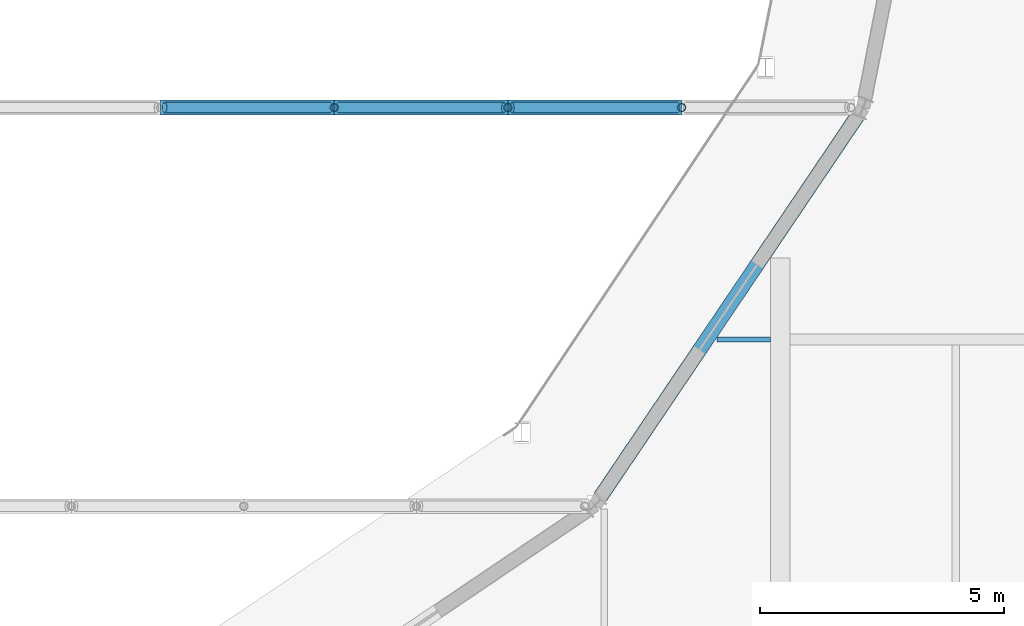
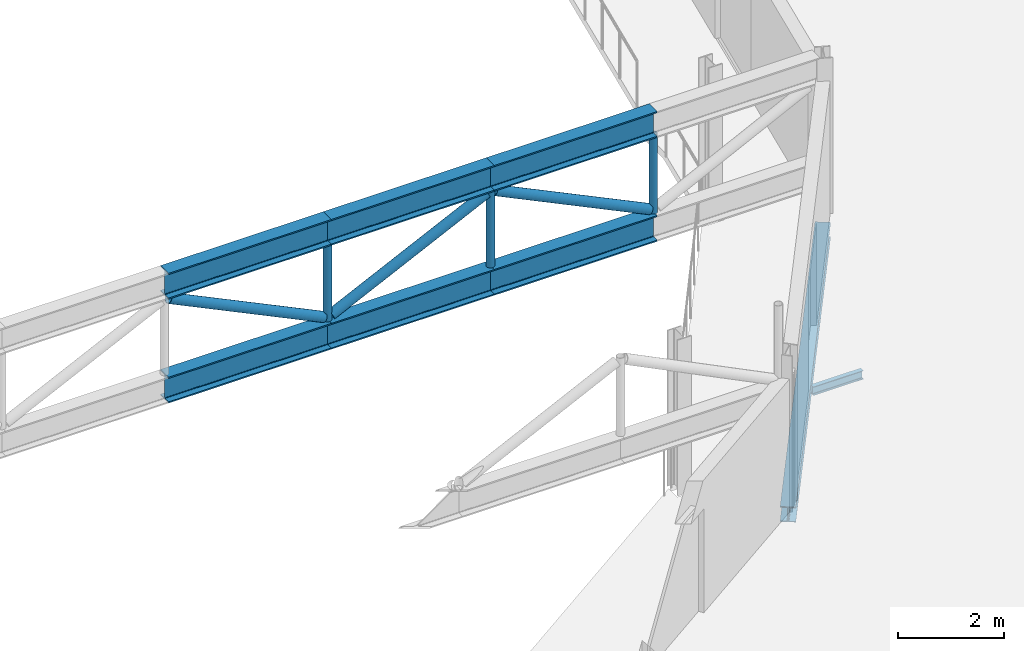
# One storey, part 42 of 143: 12 members, 2 beams.
"""IFC4 building model written with IfcOpenShell, lengths in metres."""

from ifc_helpers import new_model, si_unit, direction, frame, origin, origin_2d, place, context, subcontext, project, spatial, hollow_circle, i_section, extrude, material, material_profile, profile_set, type_object, element, save


model = new_model("IFC4")

# Units and contexts
model_context = context("Model", 3, precision=1e-05, world=origin(), true_north=direction((0.0, 1.0)))
body_context = subcontext(model_context, "Body", "Model", "MODEL_VIEW")
ifc_project = project(units=[si_unit("LENGTHUNIT", "METRE"), si_unit("AREAUNIT", "SQUARE_METRE"), si_unit("VOLUMEUNIT", "CUBIC_METRE"), si_unit("PLANEANGLEUNIT", "RADIAN"), si_unit("MASSUNIT", "GRAM", prefix="KILO")], contexts=[model_context])

# Site, building, storey
site_placement = place(None, origin())
site = spatial("IfcSite", under=ifc_project, at=site_placement, CompositionType="ELEMENT")
building_placement = place(site_placement, origin())
building = spatial("IfcBuilding", under=site, at=building_placement, Name="Kupolbacken Congress Centre", CompositionType="ELEMENT")
storey_placement = place(building_placement, frame((0.0, 0.0, 7.199951171875)))
storey = spatial("IfcBuildingStorey", under=building, at=storey_placement, Name="L02", CompositionType="ELEMENT", Elevation=7.199951171875)

# Beams
ifc_material_1 = material(Name="Steel S355", Category="steel")
ifc_material_profile_1 = material_profile(ifc_material_1, i_section(OverallWidth=0.10009765625, OverallDepth=0.199951171875, WebThickness=0.005615234375, FlangeThickness=0.008544921875, FilletRadius=0.011962890625, at=origin_2d()), Name="IPE 200")
ifc_profile_set_1 = profile_set([ifc_material_profile_1], Name="Steel S355")
beam_type_1 = type_object("IfcBeamType", Name="B01 beam IPE 200", PredefinedType="BEAM", material=ifc_profile_set_1)
beam_1_placement = place(storey_placement, frame((63.50927734375, 72.0, -0.280029296875), z_axis=(1.0, 0.0, 0.0), x_axis=(0.0, 1.0, 0.0)))
element("IfcBeam", 1, at=beam_1_placement, inside=storey, type_object=beam_type_1, Name="S/floor/P/L02/R049", PredefinedType="BEAM", context=body_context, shape_type="SweptSolid", body=[
    extrude(i_section(OverallWidth=0.10009765625, OverallDepth=0.199951171875, WebThickness=0.005615234375, FlangeThickness=0.008544921875, FilletRadius=0.011962890625, at=origin_2d()), origin(), (0.0, 0.0, 1.0), 1.0908203125),
])
ifc_material_2 = material(Name="Steel S355", Category="steel")
ifc_material_profile_2 = material_profile(ifc_material_2, i_section(OverallWidth=0.300048828125, OverallDepth=0.35009765625, WebThickness=0.010009765625, FlangeThickness=0.017578125, FilletRadius=0.027099609375, at=origin_2d()), Name="HEA 360")
ifc_profile_set_2 = profile_set([ifc_material_profile_2], Name="Steel S355")
beam_type_2 = type_object("IfcBeamType", Name="B13 beam HEA 360", PredefinedType="BEAM", material=ifc_profile_set_2)
beam_2_placement = place(storey_placement, frame((61.114013671875, 68.768798828125, -0.35498046875), z_axis=(0.559372299764, 0.828916539983, 0.0), x_axis=(-0.828916539983, 0.559372299764, 0.0)))
element("IfcBeam", 2, at=beam_2_placement, inside=storey, type_object=beam_type_2, Name="S/floor/P/L02/C015", PredefinedType="BEAM", context=body_context, shape_type="SweptSolid", body=[
    extrude(i_section(OverallWidth=0.300048828125, OverallDepth=0.35009765625, WebThickness=0.010009765625, FlangeThickness=0.017578125, FilletRadius=0.027099609375, at=origin_2d()), origin(), (0.0, 0.0, 1.0), 9.42431640625),
])

# Members
ifc_material_3 = material(Name="Steel S355", Category="steel")
ifc_material_profile_3 = material_profile(ifc_material_3, i_section(OverallWidth=0.300048828125, OverallDepth=0.60009765625, WebThickness=0.015380859375, FlangeThickness=0.030029296875, FilletRadius=0.027099609375, at=origin_2d()), Name="HEB 600")
ifc_profile_set_3 = profile_set([ifc_material_profile_3], Name="Steel S355")
member_type_1 = type_object("IfcMemberType", Name="M02 transfer truss chord HEB 600", PredefinedType="CHORD", material=ifc_profile_set_3)
for number, where, z_axis, x_axis, name in (
    (3, (52.1005859375, 76.75634765625, 0.916259765625), (1.0, 0.0, 0.0), (0.0, 1.0, 0.0), "PD/L02/balc/trussF/BC10"),
    (4, (52.1005859375, 76.75634765625, 3.31640625), (1.0, 0.0, 0.0), (0.0, 1.0, 0.0), "PD/L02/balc/trussF/TC10"),
    (5, (55.660888671875, 76.75634765625, 0.916259765625), (1.0, 0.0, 0.0), (0.0, 1.0, 0.0), "PD/L02/balc/trussF/BC11"),
    (6, (55.660888671875, 76.75634765625, 3.31640625), (1.0, 0.0, 0.0), (0.0, 1.0, 0.0), "PD/L02/balc/trussF/TC11"),
    (7, (59.22119140625, 76.75634765625, 0.916259765625), (1.0, 0.0, 0.0), (0.0, 1.0, 0.0), "PD/L02/balc/trussF/BC12"),
    (8, (59.22119140625, 76.75634765625, 3.31640625), (1.0, 0.0, 0.0), (0.0, 1.0, 0.0), "PD/L02/balc/trussF/TC12"),
):
    element("IfcMember", number, at=place(storey_placement, frame(where, z_axis=z_axis, x_axis=x_axis)), inside=storey, type_object=member_type_1, Name=name, PredefinedType="CHORD", context=body_context, shape_type="SweptSolid", body=[
        extrude(i_section(OverallWidth=0.300048828125, OverallDepth=0.60009765625, WebThickness=0.015380859375, FlangeThickness=0.030029296875, FilletRadius=0.027099609375, at=origin_2d()), origin(), (0.0, 0.0, 1.0), 3.560302734375),
    ])
ifc_material_4 = material(Name="Steel S355", Category="steel")
ifc_material_profile_4 = material_profile(ifc_material_4, hollow_circle(Radius=0.109619140625, WallThickness=0.010009765625, at=origin_2d()), Name="CHS 219.1 x 10")
ifc_profile_set_4 = profile_set([ifc_material_profile_4], Name="Steel S355")
member_type_2 = type_object("IfcMemberType", Name="M05 transfer truss web CHS 219.1 x 10", PredefinedType="BRACE", material=ifc_profile_set_4)
member_placement = place(storey_placement, frame((52.184814453125, 76.75634765625, 2.9296875), z_axis=(0.901703244176, 0.0, -0.432355478099), x_axis=(0.0, 1.0, 0.0)))
element("IfcMember", 9, at=member_placement, inside=storey, type_object=member_type_2, Name="PD/L02/balc/trussF/D10", PredefinedType="BRACE", context=body_context, shape_type="SweptSolid", body=[
    extrude(hollow_circle(Radius=0.109619140625, WallThickness=0.010009765625, at=origin_2d()), origin(), (0.0, 0.0, 1.0), 3.761962890625),
])
for number, where, z_axis, x_axis, name in (
    (10, (55.7451171875, 76.75634765625, 1.30322265625), (0.901691111506, 0.0, 0.432380780598), (0.0, 1.0, 0.0), "PD/L02/balc/trussF/D11"),
    (11, (59.305419921875, 76.75634765625, 2.9296875), (0.901691111506, 0.0, -0.432380780598), (0.0, 1.0, 0.0), "PD/L02/balc/trussF/D12"),
):
    element("IfcMember", number, at=place(storey_placement, frame(where, z_axis=z_axis, x_axis=x_axis)), inside=storey, type_object=member_type_2, Name=name, PredefinedType="BRACE", context=body_context, shape_type="SweptSolid", body=[
        extrude(hollow_circle(Radius=0.109619140625, WallThickness=0.010009765625, at=origin_2d()), origin(), (0.0, 0.0, 1.0), 3.76171875),
    ])
ifc_material_5 = material(Name="Steel S355", Category="steel")
ifc_material_profile_5 = material_profile(ifc_material_5, hollow_circle(Radius=0.084228515625, WallThickness=0.008056640625, at=origin_2d()), Name="CHS 168.3 x 8")
ifc_profile_set_5 = profile_set([ifc_material_profile_5], Name="Steel S355")
member_type_3 = type_object("IfcMemberType", Name="M20 transfer truss post CHS 168.3 x 8", PredefinedType="STRUT", material=ifc_profile_set_5)
for number, where, z_axis, x_axis, name in (
    (12, (55.660888671875, 76.75634765625, 1.206298828125), (0.0, 0.0, 1.0), (1.0, 0.0, 0.0), "PD/L02/balc/trussF/P10"),
    (13, (59.22119140625, 76.75634765625, 1.206298828125), (0.0, 0.0, 1.0), (1.0, 0.0, 0.0), "PD/L02/balc/trussF/P11"),
    (14, (62.781494140625, 76.75634765625, 1.206298828125), (0.0, 0.0, 1.0), (1.0, 0.0, 0.0), "PD/L02/balc/trussF/P12"),
):
    element("IfcMember", number, at=place(storey_placement, frame(where, z_axis=z_axis, x_axis=x_axis)), inside=storey, type_object=member_type_3, Name=name, PredefinedType="STRUT", context=body_context, shape_type="SweptSolid", body=[
        extrude(hollow_circle(Radius=0.084228515625, WallThickness=0.008056640625, at=origin_2d()), origin(), (0.0, 0.0, 1.0), 1.820068359375),
    ])

save(model, "model.ifc")
